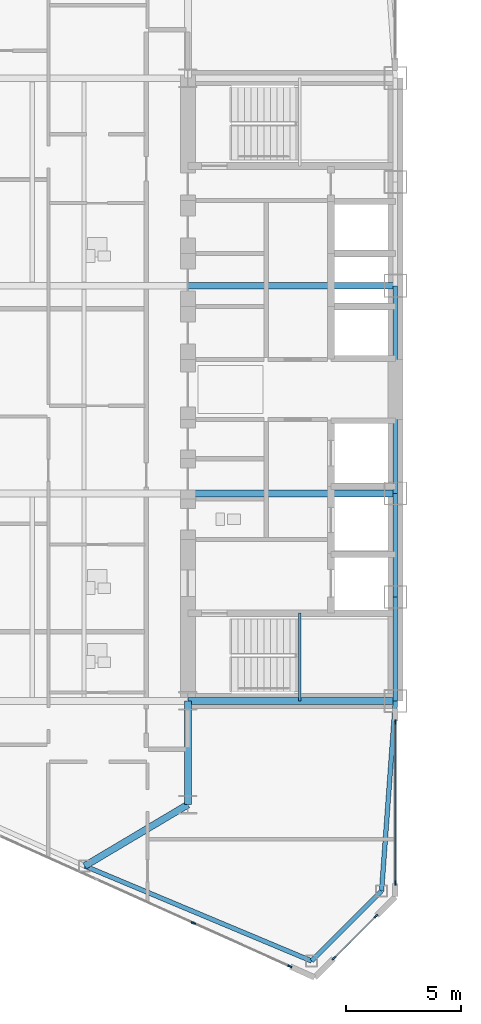
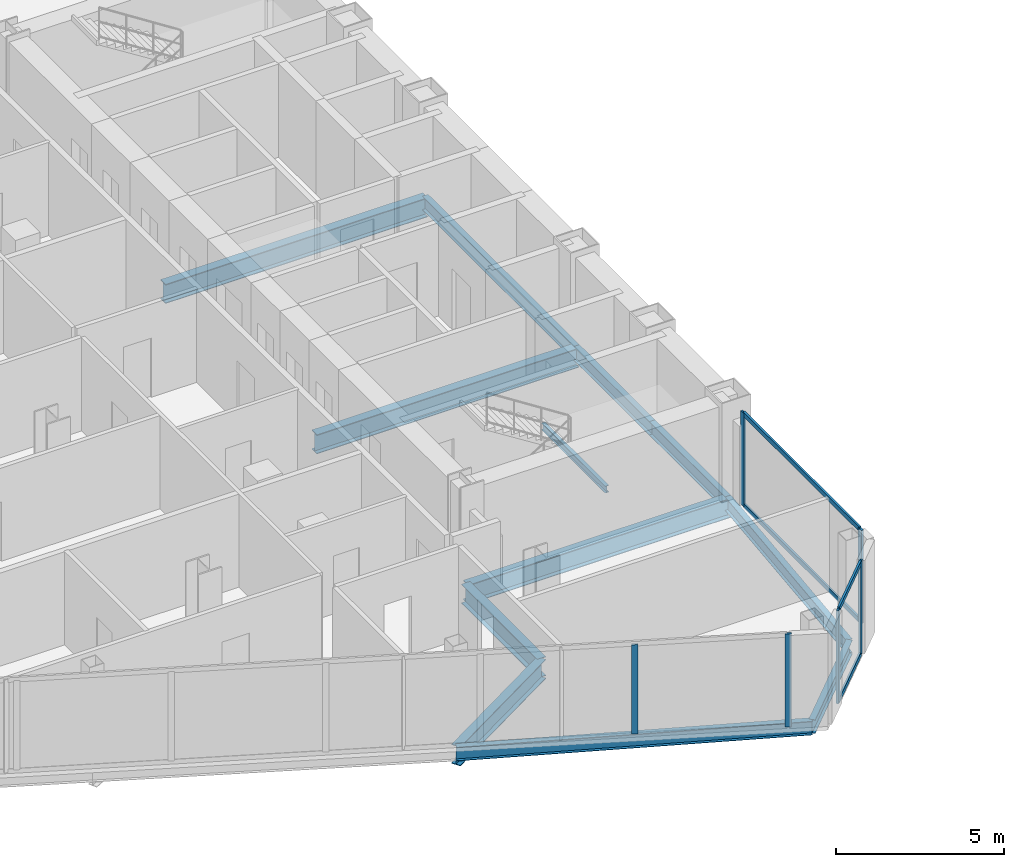
# One storey, part 6 of 27: 12 beams, 10 members, 3 elements without a shape of their own.
"""IFC4 building model written with IfcOpenShell, lengths in metres."""

from ifc_helpers import new_model, si_unit, direction, frame, origin, origin_2d, place, context, subcontext, project, spatial, rectangle, i_section, extrude, source, transform, mapped, material, layer, layer_set, material_profile, profile_set, type_object, type_shapes, element, aggregate, save


model = new_model("IFC4")

# Units and contexts
model_context = context("Model", 3, precision=1e-05, world=origin(), true_north=direction((0.0, 1.0)))
body_context = subcontext(model_context, "Body", "Model", "MODEL_VIEW")
ifc_project = project(units=[si_unit("LENGTHUNIT", "METRE"), si_unit("AREAUNIT", "SQUARE_METRE"), si_unit("VOLUMEUNIT", "CUBIC_METRE"), si_unit("PLANEANGLEUNIT", "RADIAN"), si_unit("MASSUNIT", "GRAM", prefix="KILO")], contexts=[model_context])

# Site, building, storey
site_placement = place(None, origin())
site = spatial("IfcSite", under=ifc_project, at=site_placement, CompositionType="ELEMENT")
building_placement = place(site_placement, origin())
building = spatial("IfcBuilding", under=site, at=building_placement, Name="Seokmaru Belvedere", CompositionType="ELEMENT")
storey_placement = place(building_placement, frame((0.0, 0.0, 103.199951171875)))
storey = spatial("IfcBuildingStorey", under=building, at=storey_placement, Name="L27", CompositionType="ELEMENT", Elevation=103.199951171875)

# Beams
ifc_material_1 = material(Name="Steel SM355 (355 MPa)", Category="steel")
ifc_material_profile_1 = material_profile(ifc_material_1, i_section(OverallWidth=0.199951171875, OverallDepth=0.5, WebThickness=0.010009765625, FlangeThickness=0.01611328125, at=origin_2d()), Name="H-500x200x10x16")
ifc_profile_set_1 = profile_set([ifc_material_profile_1], Name="Steel SM355 (355 MPa)")
beam_type_1 = type_object("IfcBeamType", Name="Perimeter Spandrel Beam H-500", PredefinedType="SPANDREL", material=ifc_profile_set_1)
shared_shape_1 = source(origin(), body_context, "Body", "SweptSolid", [
    extrude(i_section(OverallWidth=0.199951171875, OverallDepth=0.5, WebThickness=0.010009765625, FlangeThickness=0.01611328125, at=origin_2d()), origin(), (0.0, 0.0, 1.0), 4.5),
])
for number, where, z_axis, x_axis, name in (
    (1, (-27.5, -13.5, -0.469970703125), (0.0, 1.0, 0.0), (-1.0, 0.0, 0.0), "L27 W Portal Spine Spandrel 1"),
    (2, (-27.5, -9.0, -0.469970703125), (0.0, 1.0, 0.0), (-1.0, 0.0, 0.0), "L27 W Portal Spine Spandrel 2"),
):
    element("IfcBeam", number, at=place(storey_placement, frame(where, z_axis=z_axis, x_axis=x_axis)), inside=storey, type_object=beam_type_1, Name=name, PredefinedType="SPANDREL", context=body_context, shape_type="MappedRepresentation", body=[
        mapped(shared_shape_1, transform((0.0, 0.0, 0.0), scale=1.0)),
    ])
shared_shape_2 = source(origin(), body_context, "Body", "SweptSolid", [
    extrude(i_section(OverallWidth=0.199951171875, OverallDepth=0.5, WebThickness=0.010009765625, FlangeThickness=0.01611328125, at=origin_2d()), origin(), (0.0, 0.0, 1.0), 9.0),
])
beam_1_placement = place(storey_placement, frame((-27.5, -4.5, -0.469970703125), z_axis=(0.0, 1.0, 0.0), x_axis=(-1.0, 0.0, 0.0)))
element("IfcBeam", 3, at=beam_1_placement, inside=storey, type_object=beam_type_1, Name="L27 W Portal Spine Spandrel 3", PredefinedType="SPANDREL", context=body_context, shape_type="MappedRepresentation", body=[
    mapped(shared_shape_2, transform((0.0, 0.0, 0.0), scale=1.0)),
])
ifc_material_profile_2 = material_profile(ifc_material_1, i_section(OverallWidth=0.300048828125, OverallDepth=0.699951171875, WebThickness=0.012939453125, FlangeThickness=0.02392578125, at=origin_2d()), Name="H-700x300x13x24")
ifc_profile_set_2 = profile_set([ifc_material_profile_2], Name="Steel SM355 (355 MPa)")
beam_type_2 = type_object("IfcBeamType", Name="Primary Floor Girder H-700", PredefinedType="BEAM", material=ifc_profile_set_2)
shared_shape_3 = source(origin(), body_context, "Body", "SweptSolid", [
    extrude(i_section(OverallWidth=0.300048828125, OverallDepth=0.699951171875, WebThickness=0.012939453125, FlangeThickness=0.02392578125, at=origin_2d()), origin(), (0.0, 0.0, 1.0), 4.5),
])
beam_2_placement = place(storey_placement, frame((-36.5, -18.0, -0.570068359375), z_axis=(0.0, 1.0, 0.0), x_axis=(-1.0, 0.0, 0.0)))
element("IfcBeam", 4, at=beam_2_placement, inside=storey, type_object=beam_type_2, Name="L27 W Core Shoulder Girder S", PredefinedType="BEAM", context=body_context, shape_type="MappedRepresentation", body=[
    mapped(shared_shape_3, transform((0.0, 0.0, 0.0), scale=1.0)),
])
shared_shape_4 = source(origin(), body_context, "Body", "SweptSolid", [
    extrude(i_section(OverallWidth=0.300048828125, OverallDepth=0.699951171875, WebThickness=0.012939453125, FlangeThickness=0.02392578125, at=origin_2d()), origin(), (0.0, 0.0, 1.0), 9.0),
])
for number, where, z_axis, x_axis, name in (
    (5, (-36.5, -13.5, -0.570068359375), (1.0, 0.0, 0.0), (0.0, 1.0, 0.0), "L27 W Core Tie Girder 1"),
    (6, (-36.5, -4.5, -0.570068359375), (1.0, 0.0, 0.0), (0.0, 1.0, 0.0), "L27 W Core Tie Girder 2"),
    (7, (-36.5, 4.5, -0.570068359375), (1.0, 0.0, 0.0), (0.0, 1.0, 0.0), "L27 W Core Tie Girder 3"),
):
    element("IfcBeam", number, at=place(storey_placement, frame(where, z_axis=z_axis, x_axis=x_axis)), inside=storey, type_object=beam_type_2, Name=name, PredefinedType="BEAM", context=body_context, shape_type="MappedRepresentation", body=[
        mapped(shared_shape_4, transform((0.0, 0.0, 0.0), scale=1.0)),
    ])
shared_shape_5 = source(origin(), body_context, "Body", "SweptSolid", [
    extrude(i_section(OverallWidth=0.199951171875, OverallDepth=0.5, WebThickness=0.010009765625, FlangeThickness=0.01611328125, at=origin_2d()), origin(), (0.0, 0.0, 1.0), 10.66943359375),
])
beam_3_placement = place(storey_placement, frame((-31.13134765625, -24.782958984375, -0.469970703125), z_axis=(-0.922375393128, 0.386294750355, 0.0), x_axis=(-0.386294750355, -0.922375393128, 0.0)))
element("IfcBeam", 8, at=beam_3_placement, inside=storey, type_object=beam_type_1, Name="L27 W Faceted Flank Spandrel S-1", PredefinedType="SPANDREL", context=body_context, shape_type="MappedRepresentation", body=[
    mapped(shared_shape_5, transform((0.0, 0.0, 0.0), scale=1.0)),
])
shared_shape_6 = source(origin(), body_context, "Body", "SweptSolid", [
    extrude(i_section(OverallWidth=0.199951171875, OverallDepth=0.5, WebThickness=0.010009765625, FlangeThickness=0.01611328125, at=origin_2d()), origin(), (0.0, 0.0, 1.0), 4.287109375),
])
beam_4_placement = place(storey_placement, frame((-31.13134765625, -24.782958984375, -0.469970703125), z_axis=(0.707078306132, 0.707135255094, 0.0), x_axis=(-0.707135255094, 0.707078306132, 0.0)))
element("IfcBeam", 9, at=beam_4_placement, inside=storey, type_object=beam_type_1, Name="L27 W Shoulder Chamfer Spandrel S", PredefinedType="SPANDREL", context=body_context, shape_type="MappedRepresentation", body=[
    mapped(shared_shape_6, transform((0.0, 0.0, 0.0), scale=1.0)),
])
shared_shape_7 = source(origin(), body_context, "Body", "SweptSolid", [
    extrude(i_section(OverallWidth=0.199951171875, OverallDepth=0.5, WebThickness=0.010009765625, FlangeThickness=0.01611328125, at=origin_2d()), origin(), (0.0, 0.0, 1.0), 8.273193359375),
])
type_shapes(beam_type_1, [shared_shape_1, shared_shape_2, shared_shape_5, shared_shape_6, shared_shape_7])
beam_5_placement = place(storey_placement, frame((-28.10009765625, -21.75146484375, -0.469970703125), z_axis=(0.072534628348, 0.99736589459, 0.0), x_axis=(-0.99736589459, 0.072534628348, 0.0)))
element("IfcBeam", 10, at=beam_5_placement, inside=storey, type_object=beam_type_1, Name="L27 W Shoulder Spine Spandrel S", PredefinedType="SPANDREL", context=body_context, shape_type="MappedRepresentation", body=[
    mapped(shared_shape_7, transform((0.0, 0.0, 0.0), scale=1.0)),
])
shared_shape_8 = source(origin(), body_context, "Body", "SweptSolid", [
    extrude(i_section(OverallWidth=0.300048828125, OverallDepth=0.699951171875, WebThickness=0.012939453125, FlangeThickness=0.02392578125, at=origin_2d()), origin(), (0.0, 0.0, 1.0), 5.20458984375),
])
type_shapes(beam_type_2, [shared_shape_3, shared_shape_4, shared_shape_8])
beam_6_placement = place(storey_placement, frame((-40.97265625, -20.661376953125, -0.570068359375), z_axis=(0.859370434188, 0.511353553662, 0.0), x_axis=(-0.511353553662, 0.859370434188, 0.0)))
element("IfcBeam", 11, at=beam_6_placement, inside=storey, type_object=beam_type_2, Name="L27 W Flank Radial Floor Girder S-1", PredefinedType="BEAM", context=body_context, shape_type="MappedRepresentation", body=[
    mapped(shared_shape_8, transform((0.0, 0.0, 0.0), scale=1.0)),
])

# Curtain wall, members
ifc_material_2 = material(Name="Bronze Triple Insulating Glass", Category="glass")
ifc_layer = layer(ifc_material_2, 0.195068359375)
ifc_layer_set = layer_set([ifc_layer], Name="Bronze Triple Insulating Glass")
curtain_wall_type = type_object("IfcCurtainWallType", Name="Lower-Mid Tapered Curtain Wall System CW-3", PredefinedType="NOTDEFINED", material=ifc_layer_set)
curtain_wall_1_placement = place(storey_placement, origin())
curtain_wall_1 = element("IfcCurtainWall", 12, at=curtain_wall_1_placement, inside=storey, type_object=curtain_wall_type, Name="L27 Curtain Wall WSP_1", PredefinedType="NOTDEFINED")
ifc_material_3 = material(Name="Anodised Bronze Aluminium", Category="aluminium")
ifc_material_profile_3 = material_profile(ifc_material_3, rectangle(XDim=0.070068359375, YDim=0.1650390625, at=origin_2d()), Name="CW-T-70x165")
ifc_profile_set_3 = profile_set([ifc_material_profile_3], Name="Anodised Bronze Aluminium")
member_type_1 = type_object("IfcMemberType", Name="Bronze Unitised Transom 70x165", PredefinedType="USERDEFINED", material=ifc_profile_set_3)
shared_shape_9 = source(origin(), body_context, "Body", "SweptSolid", [
    extrude(rectangle(XDim=0.070068359375, YDim=0.1650390625, at=origin_2d()), origin(), (0.0, 0.0, 1.0), 6.91015625),
])
member_1_placement = place(storey_placement, frame((-27.5, -21.360107421875, 0.03515625), z_axis=(0.0, 1.0, 0.0), x_axis=(-1.0, 0.0, 0.0)))
member_1 = element("IfcMember", 13, at=member_1_placement, type_object=member_type_1, Name="CW:L27:WSP_1 Continuous Transom 1", ObjectType="TRANSOM", PredefinedType="USERDEFINED", context=body_context, shape_type="MappedRepresentation", body=[
    mapped(shared_shape_9, transform((0.0, 0.0, 0.0), scale=1.0)),
])
member_2_placement = place(storey_placement, frame((-27.5, -21.360107421875, 3.344970703125), z_axis=(0.0, 1.0, 0.0), x_axis=(-1.0, 0.0, 0.0)))
member_2 = element("IfcMember", 14, at=member_2_placement, type_object=member_type_1, Name="CW:L27:WSP_1 Continuous Transom 2", ObjectType="TRANSOM", PredefinedType="USERDEFINED", context=body_context, shape_type="MappedRepresentation", body=[
    mapped(shared_shape_9, transform((0.0, 0.0, 0.0), scale=1.0)),
])

curtain_wall_2_placement = place(storey_placement, origin())
curtain_wall_2 = element("IfcCurtainWall", 15, at=curtain_wall_2_placement, inside=storey, type_object=curtain_wall_type, Name="L27 Curtain Wall WF6", PredefinedType="NOTDEFINED")
shared_shape_10 = source(origin(), body_context, "Body", "SweptSolid", [
    extrude(rectangle(XDim=0.070068359375, YDim=0.1650390625, at=origin_2d()), origin(), (0.0, 0.0, 1.0), 2.509521484375),
])
type_shapes(member_type_1, [shared_shape_9, shared_shape_10])
member_3_placement = place(storey_placement, frame((-30.13720703125, -24.63720703125, 0.03515625), z_axis=(0.707106781187, 0.707106781187, 0.0), x_axis=(-0.707106781187, 0.707106781187, 0.0)))
member_3 = element("IfcMember", 16, at=member_3_placement, type_object=member_type_1, Name="CW:L27:WF6 Continuous Transom 1", ObjectType="TRANSOM", PredefinedType="USERDEFINED", context=body_context, shape_type="MappedRepresentation", body=[
    mapped(shared_shape_10, transform((0.0, 0.0, 0.0), scale=1.0)),
])
member_4_placement = place(storey_placement, frame((-30.13720703125, -24.63720703125, 3.344970703125), z_axis=(0.707106781187, 0.707106781187, 0.0), x_axis=(-0.707106781187, 0.707106781187, 0.0)))
member_4 = element("IfcMember", 17, at=member_4_placement, type_object=member_type_1, Name="CW:L27:WF6 Continuous Transom 2", ObjectType="TRANSOM", PredefinedType="USERDEFINED", context=body_context, shape_type="MappedRepresentation", body=[
    mapped(shared_shape_10, transform((0.0, 0.0, 0.0), scale=1.0)),
])

# Curtain wall, member
curtain_wall_3_placement = place(storey_placement, origin())
curtain_wall_3 = element("IfcCurtainWall", 18, at=curtain_wall_3_placement, inside=storey, type_object=curtain_wall_type, Name="L27 Curtain Wall WF5", PredefinedType="NOTDEFINED")
ifc_material_profile_4 = material_profile(ifc_material_3, rectangle(XDim=0.070068359375, YDim=0.195068359375, at=origin_2d()), Name="CW-M-70x195")
ifc_profile_set_4 = profile_set([ifc_material_profile_4], Name="Anodised Bronze Aluminium")
member_type_2 = type_object("IfcMemberType", Name="Bronze Unitised Mullion 70x195", PredefinedType="MULLION", material=ifc_profile_set_4)
shared_shape_11 = source(origin(), body_context, "Body", "SweptSolid", [
    extrude(rectangle(XDim=0.070068359375, YDim=0.195068359375, at=origin_2d()), origin(), (0.0, 0.0, 1.0), 3.239990234375),
])
member_5_placement = place(storey_placement, frame((-36.260009765625, -23.133056640625, 0.070068359375), z_axis=(0.0, 0.0, 1.0), x_axis=(0.41036554765, 0.91192111353, 0.0)))
member_5 = element("IfcMember", 19, at=member_5_placement, type_object=member_type_2, Name="CW:L27:WF5 Mullion 9", PredefinedType="MULLION", context=body_context, shape_type="MappedRepresentation", body=[
    mapped(shared_shape_11, transform((0.0, 0.0, 0.0), scale=1.0)),
])

# Member
shared_shape_12 = source(origin(), body_context, "Body", "SweptSolid", [
    extrude(rectangle(XDim=0.070068359375, YDim=0.195068359375, at=origin_2d()), origin(), (0.0, 0.0, 1.0), 3.380126953125),
])
type_shapes(member_type_2, [shared_shape_11, shared_shape_12])
member_6_placement = place(storey_placement, frame((-27.5, -21.39501953125, 0.0), z_axis=(0.0, 0.0, 1.0), x_axis=(-1.0, 0.0, 0.0)))
member_6 = element("IfcMember", 20, at=member_6_placement, type_object=member_type_2, Name="CW:L27:WSP_1 Mullion 1", PredefinedType="MULLION", context=body_context, shape_type="MappedRepresentation", body=[
    mapped(shared_shape_12, transform((0.0, 0.0, 0.0), scale=1.0)),
])

member_7_placement = place(storey_placement, frame((-27.5, -14.4150390625, 0.0), z_axis=(0.0, 0.0, 1.0), x_axis=(-1.0, 0.0, 0.0)))
member_7 = element("IfcMember", 21, at=member_7_placement, type_object=member_type_2, Name="CW:L27:WSP_1 Mullion 2", PredefinedType="MULLION", context=body_context, shape_type="MappedRepresentation", body=[
    mapped(shared_shape_12, transform((0.0, 0.0, 0.0), scale=1.0)),
])

aggregate(curtain_wall_1, [member_6, member_7, member_1, member_2])

member_8_placement = place(storey_placement, frame((-32.08056640625, -25.013671875, 0.0), z_axis=(0.0, 0.0, 1.0), x_axis=(0.41036554765, 0.91192111353, 0.0)))
member_8 = element("IfcMember", 22, at=member_8_placement, type_object=member_type_2, Name="CW:L27:WF5 Mullion 10", PredefinedType="MULLION", context=body_context, shape_type="MappedRepresentation", body=[
    mapped(shared_shape_12, transform((0.0, 0.0, 0.0), scale=1.0)),
])

aggregate(curtain_wall_3, [member_5, member_8])

member_9_placement = place(storey_placement, frame((-30.162109375, -24.662109375, 0.0), z_axis=(0.0, 0.0, 1.0), x_axis=(-0.707106781187, 0.707106781187, 0.0)))
member_9 = element("IfcMember", 23, at=member_9_placement, type_object=member_type_2, Name="CW:L27:WF6 Mullion 1", PredefinedType="MULLION", context=body_context, shape_type="MappedRepresentation", body=[
    mapped(shared_shape_12, transform((0.0, 0.0, 0.0), scale=1.0)),
])

member_10_placement = place(storey_placement, frame((-28.337890625, -22.837890625, 0.0), z_axis=(0.0, 0.0, 1.0), x_axis=(-0.707106781187, 0.707106781187, 0.0)))
member_10 = element("IfcMember", 24, at=member_10_placement, type_object=member_type_2, Name="CW:L27:WF6 Mullion 2", PredefinedType="MULLION", context=body_context, shape_type="MappedRepresentation", body=[
    mapped(shared_shape_12, transform((0.0, 0.0, 0.0), scale=1.0)),
])

aggregate(curtain_wall_2, [member_9, member_10, member_3, member_4])

# Beam
ifc_material_profile_5 = material_profile(ifc_material_1, i_section(OverallWidth=0.125, OverallDepth=0.25, WebThickness=0.006103515625, FlangeThickness=0.009033203125, at=origin_2d()), Name="H-250x125x6x9")
ifc_profile_set_5 = profile_set([ifc_material_profile_5], Name="Steel SM355 (355 MPa)")
beam_type_3 = type_object("IfcBeamType", Name="Stair Mid-Landing Support Beam H-250", PredefinedType="JOIST", material=ifc_profile_set_5)
shared_shape_13 = source(origin(), body_context, "Body", "SweptSolid", [
    extrude(i_section(OverallWidth=0.125, OverallDepth=0.25, WebThickness=0.006103515625, FlangeThickness=0.009033203125, at=origin_2d()), origin(), (0.0, 0.0, 1.0), 3.800048828125),
])
type_shapes(beam_type_3, [shared_shape_13])
beam_7_placement = place(storey_placement, frame((-31.64990234375, -13.5, 1.47509765625), z_axis=(0.0, 1.0, 0.0), x_axis=(-1.0, 0.0, 0.0)))
element("IfcBeam", 25, at=beam_7_placement, inside=storey, type_object=beam_type_3, Name="L27 Stair ST-W1 Mid-Landing Support Beam 1", PredefinedType="JOIST", context=body_context, shape_type="MappedRepresentation", body=[
    mapped(shared_shape_13, transform((0.0, 0.0, 0.0), scale=1.0)),
])

save(model, "model.ifc")
